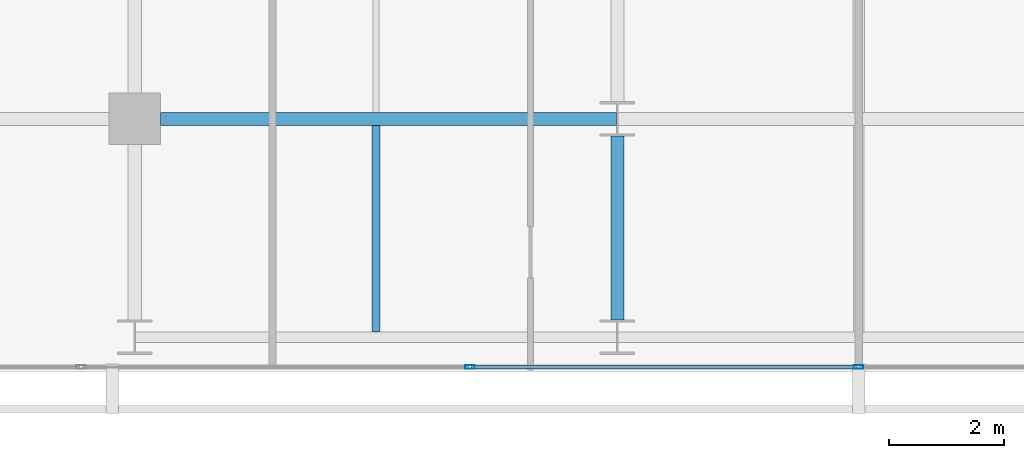
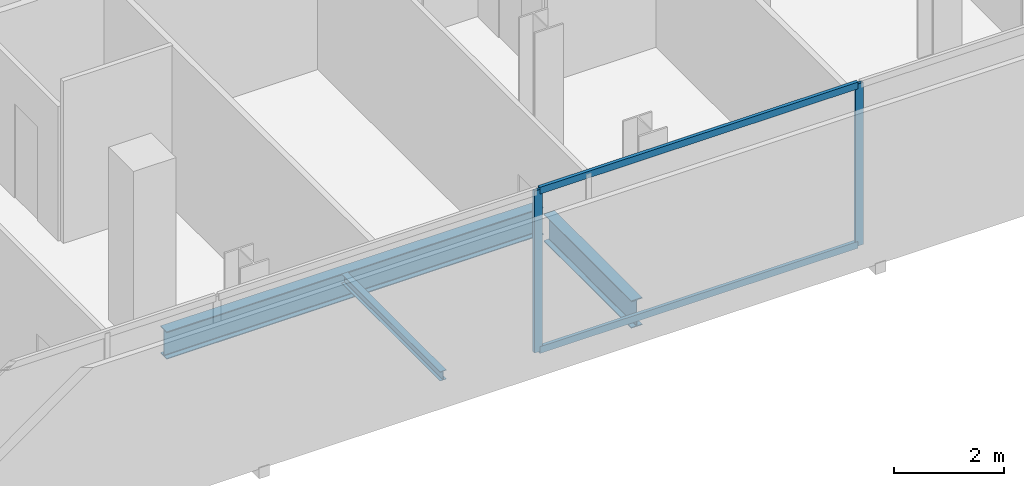
# One storey, part 6 of 33: 4 members, 3 beams, 1 element without a shape of its own.
"""IFC4 building model written with IfcOpenShell, lengths in metres."""

import ifcopenshell
import ifcopenshell.guid

model = None  # the IFC model being written
_history = None  # IfcOwnerHistory: only IFC2X3 demands one
_inside = {}  # id of a spatial element -> (the spatial element, [elements in it])
_under = {}  # id of a project, library or spatial element -> (it, [spatial elements below it])
_declared = {}  # id of a project -> (the project, [libraries it declares])
_typed = {}  # id of a type object -> (the type object, [elements of that type])
_made_of = {}  # id of a material, layer set ... -> (it, [elements and type objects made of it])


def new_model(schema):
    """Start an empty IFC model of exactly this schema.

    Asked for "IFC4X3", IfcOpenShell would pick the latest addendum, in which some entities
    have other attributes; the version numbers below select the first issue.
    IFC2X3 requires an IfcOwnerHistory on every rooted entity: one is made here for all.
    """
    global model, _history
    if schema == "IFC4X3":
        model = ifcopenshell.file(schema_version=(4, 3, 0, 0))
    else:
        model = ifcopenshell.file(schema=schema)
    _inside.clear()
    _under.clear()
    _declared.clear()
    _typed.clear()
    _made_of.clear()
    _history = None
    if model.schema == "IFC2X3":
        org = make("IfcOrganization", Name="unknown")
        user = make(
            "IfcPersonAndOrganization",
            ThePerson=make("IfcPerson", FamilyName="unknown"),
            TheOrganization=org,
        )
        app = make(
            "IfcApplication",
            ApplicationDeveloper=org,
            Version="unknown",
            ApplicationFullName="unknown",
            ApplicationIdentifier="unknown",
        )
        _history = make(
            "IfcOwnerHistory",
            OwningUser=user,
            OwningApplication=app,
            ChangeAction="ADDED",
            CreationDate=0,
        )
    return model


def make(cls, **values):
    """One entity of the class cls with the attributes given. An attribute that is None is left unset."""
    return model.create_entity(
        cls, **{name: value for name, value in values.items() if value is not None}
    )


def rooted(cls, **values):
    """An entity with a GlobalId (a new one), such as an element, a storey or a relation."""
    return make(cls, GlobalId=ifcopenshell.guid.new(), OwnerHistory=_history, **values)


def si_unit(unit_type, name, prefix=None):
    """IfcSIUnit, for example si_unit("LENGTHUNIT", "METRE", prefix="MILLI")."""
    return make("IfcSIUnit", UnitType=unit_type, Prefix=prefix, Name=name)


def assignment(units):
    """IfcUnitAssignment: the units of a project."""
    return None if units is None else make("IfcUnitAssignment", Units=units)


def point(xyz):
    """IfcCartesianPoint."""
    return None if xyz is None else make("IfcCartesianPoint", Coordinates=xyz)


def direction(xyz):
    """IfcDirection."""
    return None if xyz is None else make("IfcDirection", DirectionRatios=xyz)


def frame(location, z_axis=None, x_axis=None):
    """IfcAxis2Placement3D, a coordinate frame: its origin and axes. An axis left out is left unset."""
    return make(
        "IfcAxis2Placement3D",
        Location=point(location),
        Axis=direction(z_axis),
        RefDirection=direction(x_axis),
    )


def frame_2d(location, x_axis=None):
    """IfcAxis2Placement2D, a coordinate frame in the plane: its origin and x axis."""
    return make(
        "IfcAxis2Placement2D", Location=point(location), RefDirection=direction(x_axis)
    )


def origin():
    """The frame at (0, 0, 0) with its axes left unset."""
    return frame((0.0, 0.0, 0.0))


def origin_2d():
    """The frame at (0, 0) in the plane with its x axis left unset."""
    return frame_2d((0.0, 0.0))


def place(relative_to, where):
    """IfcLocalPlacement: puts the frame where relative to a parent placement (None: the world)."""
    return make(
        "IfcLocalPlacement", PlacementRelTo=relative_to, RelativePlacement=where
    )


def context(
    kind, dimensions, precision=None, world=None, true_north=None, identifier=None
):
    """IfcGeometricRepresentationContext, for example the 3D "Model" context."""
    return make(
        "IfcGeometricRepresentationContext",
        ContextIdentifier=identifier,
        ContextType=kind,
        CoordinateSpaceDimension=dimensions,
        Precision=precision,
        WorldCoordinateSystem=world,
        TrueNorth=true_north,
    )


def subcontext(parent, identifier, kind, view, scale=None):
    """IfcGeometricRepresentationSubContext, for example "Body" below "Model"."""
    return make(
        "IfcGeometricRepresentationSubContext",
        ContextIdentifier=identifier,
        ContextType=kind,
        ParentContext=parent,
        TargetScale=scale,
        TargetView=view,
    )


def project(units=None, contexts=None):
    """IfcProject with its units and contexts."""
    return rooted(
        "IfcProject",
        Name="project",
        RepresentationContexts=contexts,
        UnitsInContext=assignment(units),
    )


def spatial(cls, under=None, at=None, **own):
    """A site, building, storey or space (cls), placed at a placement, below another one or the project."""
    s = rooted(cls, ObjectPlacement=at, **own)
    if under is not None:
        _under.setdefault(under.id(), (under, []))[1].append(s)
    return s


def profile(cls, at=None, kind="AREA", **sizes):
    """A parametric profile (cls). Its sizes go by their IFC names, for example OverallWidth=200.0."""
    return make(cls, ProfileType=kind, Position=at, **sizes)


def hollow_rectangle(**sizes):
    """IfcRectangleHollowProfileDef."""
    return profile("IfcRectangleHollowProfileDef", **sizes)


def i_section(**sizes):
    """IfcIShapeProfileDef."""
    return profile("IfcIShapeProfileDef", **sizes)


def extrude(swept, where, along, depth):
    """IfcExtrudedAreaSolid: the profile swept, set in the frame where, extruded along a direction by depth."""
    return make(
        "IfcExtrudedAreaSolid",
        SweptArea=swept,
        Position=where,
        ExtrudedDirection=direction(along),
        Depth=depth,
    )


def shape(context_of_items, identifier, shape_type, items):
    """IfcShapeRepresentation: the items that make up one representation, for example the "Body"."""
    return make(
        "IfcShapeRepresentation",
        ContextOfItems=context_of_items,
        RepresentationIdentifier=identifier,
        RepresentationType=shape_type,
        Items=items,
    )


def material(Name=None, Category=None):
    """IfcMaterial."""
    return make("IfcMaterial", Name=Name, Category=Category)


def layer(
    of_material, thickness, ventilated=None, Name=None, Category=None, Priority=None
):
    """IfcMaterialLayer: one layer of a wall or slab, of a material (None: an air gap)."""
    return make(
        "IfcMaterialLayer",
        Material=of_material,
        LayerThickness=thickness,
        IsVentilated=ventilated,
        Name=Name,
        Category=Category,
        Priority=Priority,
    )


def layer_set(layers, Name=None):
    """IfcMaterialLayerSet."""
    return make("IfcMaterialLayerSet", MaterialLayers=layers, LayerSetName=Name)


def material_profile(
    of_material, cross_section, Name=None, Category=None, Priority=None
):
    """IfcMaterialProfile: a cross section and its material."""
    return make(
        "IfcMaterialProfile",
        Name=Name,
        Material=of_material,
        Profile=cross_section,
        Priority=Priority,
        Category=Category,
    )


def profile_set(profiles, Name=None, composite=None):
    """IfcMaterialProfileSet."""
    return make(
        "IfcMaterialProfileSet",
        Name=Name,
        MaterialProfiles=profiles,
        CompositeProfile=composite,
    )


def made_of(thing, what):
    """Note that an element or type object is made of a material, layer set ...; save() writes the relation."""
    if what is not None:
        _made_of.setdefault(what.id(), (what, []))[1].append(thing)
    return thing


def type_object(cls, material=None, **own):
    """A type object (cls), such as IfcWallType, which elements share."""
    return made_of(rooted(cls, **own), material)


def element(
    cls,
    number,
    at=None,
    inside=None,
    cuts=None,
    type_object=None,
    material=None,
    context=None,
    identifier="Body",
    shape_type=None,
    held_by="IfcProductDefinitionShape",
    body=None,
    shapes=None,
    **own,
):
    """One element of the class cls, such as IfcWall. Its Tag is "e" and its number.

    at: its placement. inside: the storey or other place that contains it. cuts: it is an
    opening in that element (IfcRelVoidsElement). A single representation is given by context,
    identifier, shape_type and body (its items); several are given by shapes. held_by: the class
    of the entity that holds the representations. save() writes the other relations.
    """
    e = rooted(cls, Tag="e%d" % number, ObjectPlacement=at, **own)
    if body is not None:
        shapes = [shape(context, identifier, shape_type, body)]
    if shapes is not None:
        e.Representation = make(held_by, Representations=shapes)
    if inside is not None:
        _inside.setdefault(inside.id(), (inside, []))[1].append(e)
    if cuts is not None:
        rooted(
            "IfcRelVoidsElement", RelatingBuildingElement=cuts, RelatedOpeningElement=e
        )
    if type_object is not None:
        _typed.setdefault(type_object.id(), (type_object, []))[1].append(e)
    return made_of(e, material)


def aggregate(whole, parts):
    """IfcRelAggregates: a whole, such as a stair, and the parts it consists of."""
    return rooted("IfcRelAggregates", RelatingObject=whole, RelatedObjects=parts)


def save(model, path):
    """Write the relations noted so far, then the file.

    IfcRelAggregates (storeys below a building ...), IfcRelContainedInSpatialStructure (elements
    in a storey), IfcRelDefinesByType, IfcRelAssociatesMaterial and IfcRelDeclares: one each for
    every whole, place, type object, material and project.
    """
    for whole, parts in _under.values():
        aggregate(whole, parts)
    for where, things in _inside.values():
        rooted(
            "IfcRelContainedInSpatialStructure",
            RelatedElements=things,
            RelatingStructure=where,
        )
    for kind, things in _typed.values():
        rooted("IfcRelDefinesByType", RelatedObjects=things, RelatingType=kind)
    for what, things in _made_of.values():
        rooted("IfcRelAssociatesMaterial", RelatedObjects=things, RelatingMaterial=what)
    for by, libraries in _declared.values():
        rooted("IfcRelDeclares", RelatingContext=by, RelatedDefinitions=libraries)
    model.write(path)


model = new_model("IFC4")

# Units and contexts
model_context = context("Model", 3, precision=1e-05, world=origin(), true_north=direction((0.0, 1.0)))
body_context = subcontext(model_context, "Body", "Model", "MODEL_VIEW")
ifc_project = project(units=[si_unit("LENGTHUNIT", "METRE"), si_unit("AREAUNIT", "SQUARE_METRE"), si_unit("VOLUMEUNIT", "CUBIC_METRE"), si_unit("PLANEANGLEUNIT", "RADIAN"), si_unit("MASSUNIT", "GRAM", prefix="KILO")], contexts=[model_context])

# Site, building, storey
site_placement = place(None, origin())
site = spatial("IfcSite", under=ifc_project, at=site_placement, CompositionType="ELEMENT")
building_placement = place(site_placement, origin())
building = spatial("IfcBuilding", under=site, at=building_placement, Name="Maruvema Waterfront Hotel and Observation Tower", CompositionType="ELEMENT")
storey_placement = place(building_placement, frame((0.0, 0.0, 138.949951171875)))
storey = spatial("IfcBuildingStorey", under=building, at=storey_placement, Name="L33", CompositionType="ELEMENT", Elevation=138.949951171875)

# Curtain wall, members
ifc_material_1 = material(Name="Anodised bronze aluminium and solar-control low-E IGU", Category="aluminium")
ifc_layer = layer(ifc_material_1, 0.159912109375, Name="Zone 2 Amber Inner Thermal Curtain Wall System CW-03")
ifc_layer_set = layer_set([ifc_layer], Name="Anodised bronze aluminium and solar-control low-E IGU")
curtain_wall_type = type_object("IfcCurtainWallType", Name="Zone 2 Amber Inner Thermal Curtain Wall System CW-03", PredefinedType="USERDEFINED", material=ifc_layer_set)
curtain_wall_placement = place(storey_placement, origin())
curtain_wall = element("IfcCurtainWall", 1, at=curtain_wall_placement, inside=storey, type_object=curtain_wall_type, Name="L33 Curtain Wall CW-L33-S", ObjectType="UNITISED CURTAIN WALL", PredefinedType="USERDEFINED")
ifc_material_2 = material(Name="Anodised architectural bronze aluminium", Category="aluminium")
ifc_material_profile_1 = material_profile(ifc_material_2, hollow_rectangle(XDim=0.070068359375, YDim=0.14990234375, WallThickness=0.00390625, at=origin_2d()), Name="ALU-T70x150")
ifc_profile_set_1 = profile_set([ifc_material_profile_1], Name="Anodised architectural bronze aluminium")
member_type_1 = type_object("IfcMemberType", Name="Curtain Wall Horizontal Transom ALU-T70x150", PredefinedType="USERDEFINED", material=ifc_profile_set_1)
member_1_placement = place(storey_placement, frame((31.063232421875, 4.679931640625, 0.030029296875), z_axis=(1.0, 0.0, 0.0), x_axis=(0.0, 1.0, 0.0)))
member_1 = element("IfcMember", 2, at=member_1_placement, type_object=member_type_1, Name="CW-03 transom 3.1", ObjectType="TRANSOM", PredefinedType="USERDEFINED", context=body_context, shape_type="SweptSolid", body=[
    extrude(hollow_rectangle(XDim=0.070068359375, YDim=0.14990234375, WallThickness=0.00390625, at=origin_2d()), origin(), (0.0, 0.0, 1.0), 6.706787109375),
])
member_2_placement = place(storey_placement, frame((31.063232421875, 4.679931640625, 3.580078125), z_axis=(1.0, 0.0, 0.0), x_axis=(0.0, 1.0, 0.0)))
member_2 = element("IfcMember", 3, at=member_2_placement, type_object=member_type_1, Name="CW-03 transom 3.2", ObjectType="TRANSOM", PredefinedType="USERDEFINED", context=body_context, shape_type="SweptSolid", body=[
    extrude(hollow_rectangle(XDim=0.070068359375, YDim=0.14990234375, WallThickness=0.00390625, at=origin_2d()), origin(), (0.0, 0.0, 1.0), 6.706787109375),
])
ifc_material_3 = material(Name="Anodised architectural bronze aluminium", Category="aluminium")
ifc_material_profile_2 = material_profile(ifc_material_3, hollow_rectangle(XDim=0.06494140625, YDim=0.1650390625, WallThickness=0.00390625, at=origin_2d()), Name="ALU-M65x165")
ifc_profile_set_2 = profile_set([ifc_material_profile_2], Name="Anodised architectural bronze aluminium")
member_type_2 = type_object("IfcMemberType", Name="Curtain Wall Primary Mullion ALU-M65x165", PredefinedType="MULLION", material=ifc_profile_set_2)
member_3_placement = place(storey_placement, frame((31.033447265625, 4.679931640625, 0.0), z_axis=(0.0, 0.0, 1.0), x_axis=(0.0, 1.0, 0.0)))
member_3 = element("IfcMember", 4, at=member_3_placement, type_object=member_type_2, Name="CW-03 mullion 3", PredefinedType="MULLION", context=body_context, shape_type="SweptSolid", body=[
    extrude(hollow_rectangle(XDim=0.06494140625, YDim=0.1650390625, WallThickness=0.00390625, at=origin_2d()), origin(), (0.0, 0.0, 1.0), 3.610107421875),
])
member_4_placement = place(storey_placement, frame((37.800048828125, 4.679931640625, 0.0), z_axis=(0.0, 0.0, 1.0), x_axis=(0.0, 1.0, 0.0)))
member_4 = element("IfcMember", 5, at=member_4_placement, type_object=member_type_2, Name="CW-03 mullion 4", PredefinedType="MULLION", context=body_context, shape_type="SweptSolid", body=[
    extrude(hollow_rectangle(XDim=0.06494140625, YDim=0.1650390625, WallThickness=0.00390625, at=origin_2d()), origin(), (0.0, 0.0, 1.0), 3.610107421875),
])
aggregate(curtain_wall, [member_3, member_4, member_1, member_2])

# Beams
ifc_material_4 = material(Name="Steel ASTM A572 Grade 50", Category="steel")
ifc_material_profile_3 = material_profile(ifc_material_4, i_section(OverallWidth=0.22900390625, OverallDepth=0.612060546875, WebThickness=0.011962890625, FlangeThickness=0.01953125, FilletRadius=0.01806640625, at=origin_2d()), Name="W610x125.0")
ifc_profile_set_3 = profile_set([ifc_material_profile_3], Name="Steel ASTM A572 Grade 50")
beam_type_1 = type_object("IfcBeamType", Name="Primary Floor Girder W610x125.0", PredefinedType="BEAM", material=ifc_profile_set_3)
beam_1_placement = place(storey_placement, frame((25.64990234375, 9.0, -0.5458984375), z_axis=(1.0, 0.0, 0.0), x_axis=(0.0, 1.0, 0.0)))
element("IfcBeam", 6, at=beam_1_placement, inside=storey, type_object=beam_type_1, Name="L33 Floor Girder EW-06", PredefinedType="BEAM", context=body_context, shape_type="SweptSolid", body=[
    extrude(i_section(OverallWidth=0.22900390625, OverallDepth=0.612060546875, WebThickness=0.011962890625, FlangeThickness=0.01953125, FilletRadius=0.01806640625, at=origin_2d()), origin(), (0.0, 0.0, 1.0), 7.9375),
])
beam_2_placement = place(storey_placement, frame((33.60009765625, 5.5, -0.5458984375), z_axis=(0.0, 1.0, 0.0), x_axis=(-1.0, 0.0, 0.0)))
element("IfcBeam", 7, at=beam_2_placement, inside=storey, type_object=beam_type_1, Name="L33 Floor Girder NS-14", PredefinedType="BEAM", context=body_context, shape_type="SweptSolid", body=[
    extrude(i_section(OverallWidth=0.22900390625, OverallDepth=0.612060546875, WebThickness=0.011962890625, FlangeThickness=0.01953125, FilletRadius=0.01806640625, at=origin_2d()), origin(), (0.0, 0.0, 1.0), 3.199951171875),
])
ifc_material_5 = material(Name="Steel ASTM A572 Grade 50", Category="steel")
ifc_material_profile_4 = material_profile(ifc_material_5, i_section(OverallWidth=0.133056640625, OverallDepth=0.20703125, WebThickness=0.005859375, FlangeThickness=0.00830078125, FilletRadius=0.010009765625, at=origin_2d()), Name="W200x26.6")
ifc_profile_set_4 = profile_set([ifc_material_profile_4], Name="Steel ASTM A572 Grade 50")
beam_type_2 = type_object("IfcBeamType", Name="Secondary Floor Joist W200x26.6", PredefinedType="JOIST", material=ifc_profile_set_4)
beam_3_placement = place(storey_placement, frame((29.39990234375, 5.29052734375, -0.343505859375), z_axis=(0.0, 1.0, 0.0), x_axis=(-1.0, 0.0, 0.0)))
element("IfcBeam", 8, at=beam_3_placement, inside=storey, type_object=beam_type_2, Name="L33 Secondary Floor Joist JS-05", PredefinedType="JOIST", context=body_context, shape_type="SweptSolid", body=[
    extrude(i_section(OverallWidth=0.133056640625, OverallDepth=0.20703125, WebThickness=0.005859375, FlangeThickness=0.00830078125, FilletRadius=0.010009765625, at=origin_2d()), origin(), (0.0, 0.0, 1.0), 3.594970703125),
])

save(model, "model.ifc")
